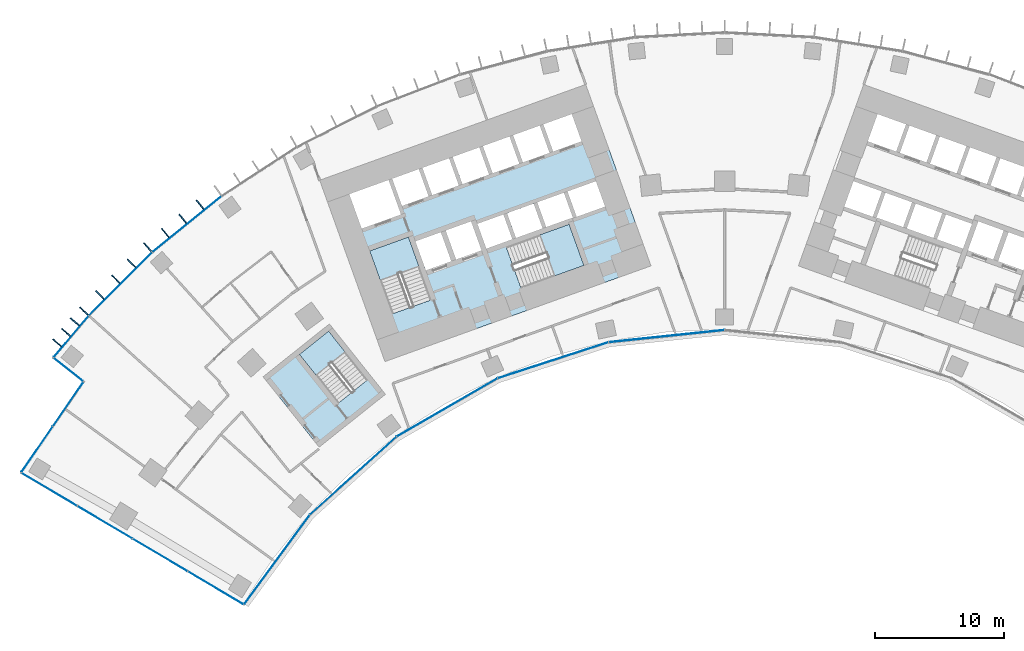
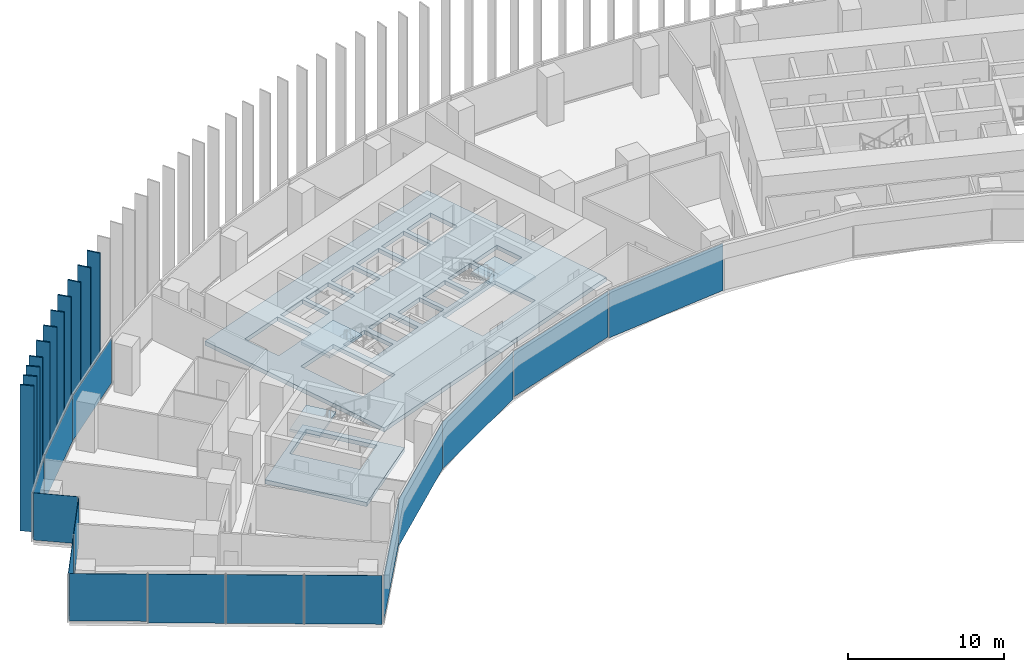
# One storey, part 14 of 24: 26 plates, 5 slabs, 8 elements without a shape of their own.
"""IFC4 building model written with IfcOpenShell, lengths in metres."""

from ifc_helpers import new_model, si_unit, direction, frame, origin, origin_2d, place, context, subcontext, project, spatial, polyline, rectangle, outline, extrude, material, layer, layer_set, type_object, element, aggregate, save


model = new_model("IFC4")

# Units and contexts
model_context = context("Model", 3, precision=1e-05, world=origin(), true_north=direction((0.0, 1.0)))
body_context = subcontext(model_context, "Body", "Model", "MODEL_VIEW")
ifc_project = project(units=[si_unit("LENGTHUNIT", "METRE"), si_unit("AREAUNIT", "SQUARE_METRE"), si_unit("VOLUMEUNIT", "CUBIC_METRE"), si_unit("PLANEANGLEUNIT", "RADIAN"), si_unit("MASSUNIT", "GRAM", prefix="KILO")], contexts=[model_context])

# Site, building, storey
site_placement = place(None, origin())
site = spatial("IfcSite", under=ifc_project, at=site_placement, CompositionType="ELEMENT")
building_placement = place(site_placement, origin())
building = spatial("IfcBuilding", under=site, at=building_placement, Name="Stone Belt Terrace Tower", CompositionType="ELEMENT")
storey_placement = place(building_placement, frame((0.0, 0.0, 41.39990234375)))
storey = spatial("IfcBuildingStorey", under=building, at=storey_placement, Name="L09", CompositionType="ELEMENT", Elevation=41.39990234375)

# Curtain wall, plates
ifc_material_1 = material(Name="Aluminium 6063-T6 anodised frame", Category="aluminium")
ifc_layer_1 = layer(ifc_material_1, 0.14990234375)
ifc_layer_set_1 = layer_set([ifc_layer_1], Name="CW-A unitised convex-face curtain wall")
curtain_wall_type_1 = type_object("IfcCurtainWallType", Name="CW-A unitised convex-face curtain wall", PredefinedType="NOTDEFINED", material=ifc_layer_set_1)
curtain_wall_1_placement = place(storey_placement, origin())
curtain_wall_1 = element("IfcCurtainWall", 1, at=curtain_wall_1_placement, inside=storey, type_object=curtain_wall_type_1, Name="CW-A convex face L09", PredefinedType="NOTDEFINED")
ifc_material_2 = material(Name="Clear double glazed unit")
ifc_layer_2 = layer(ifc_material_2, 0.031982421875)
ifc_layer_set_2 = layer_set([ifc_layer_2], Name="CW-A glass panel 32")
plate_type_1 = type_object("IfcPlateType", Name="CW-A glass panel 32", PredefinedType="CURTAIN_PANEL", material=ifc_layer_set_2)
plate_1_placement = place(storey_placement, frame((-41.839599609375, 51.667724609375, 0.14013671875), z_axis=(0.0, 0.0, 1.0), x_axis=(-0.777145961457, -0.62932039105, 0.0)))
plate_1 = element("IfcPlate", 2, at=plate_1_placement, type_object=plate_type_1, Name="CW-A panel 16.1", PredefinedType="CURTAIN_PANEL", context=body_context, shape_type="SweptSolid", body=[
    extrude(rectangle(XDim=6.90087890625, YDim=0.031982421875, at=origin_2d()), origin(), (0.0, 0.0, 1.0), 3.52001953125),
])
plate_2_placement = place(storey_placement, frame((-47.01123046875, 47.01123046875, 0.14013671875), z_axis=(0.0, 0.0, 1.0), x_axis=(-0.707106781187, -0.707106781187, 0.0)))
plate_2 = element("IfcPlate", 3, at=plate_2_placement, type_object=plate_type_1, Name="CW-A panel 17.1", PredefinedType="CURTAIN_PANEL", context=body_context, shape_type="SweptSolid", body=[
    extrude(rectangle(XDim=6.90087890625, YDim=0.031982421875, at=origin_2d()), origin(), (0.0, 0.0, 1.0), 3.52001953125),
])
plate_3_placement = place(storey_placement, frame((-50.84423828125, 42.92626953125, 0.14013671875), z_axis=(0.0, 0.0, 1.0), x_axis=(-0.645291395384, -0.763936525533, 0.0)))
plate_3 = element("IfcPlate", 4, at=plate_3_placement, type_object=plate_type_1, Name="CW-A panel 18.1", PredefinedType="CURTAIN_PANEL", context=body_context, shape_type="SweptSolid", body=[
    extrude(rectangle(XDim=4.17919921875, YDim=0.031982421875, at=origin_2d()), origin(), (0.0, 0.0, 1.0), 3.52001953125),
])
aggregate(curtain_wall_1, [plate_1, plate_2, plate_3])

ifc_layer_3 = layer(ifc_material_1, 0.14990234375)
ifc_layer_set_3 = layer_set([ifc_layer_3], Name="CW-B unitised concave-face curtain wall")
curtain_wall_type_2 = type_object("IfcCurtainWallType", Name="CW-B unitised concave-face curtain wall", PredefinedType="NOTDEFINED", material=ifc_layer_set_3)
curtain_wall_2_placement = place(storey_placement, origin())
curtain_wall_2 = element("IfcCurtainWall", 5, at=curtain_wall_2_placement, inside=storey, type_object=curtain_wall_type_2, Name="CW-B concave face L09", PredefinedType="NOTDEFINED")
ifc_layer_4 = layer(ifc_material_2, 0.030029296875)
ifc_layer_set_4 = layer_set([ifc_layer_4], Name="CW-B glass panel 30")
plate_type_2 = type_object("IfcPlateType", Name="CW-B glass panel 30", PredefinedType="CURTAIN_PANEL", material=ifc_layer_set_4)
plate_4_placement = place(storey_placement, frame((-34.831787109375, 25.57177734375, 0.1201171875), z_axis=(0.0, 0.0, 1.0), x_axis=(0.592159017675, 0.805821132626, 0.0)))
plate_4 = element("IfcPlate", 6, at=plate_4_placement, type_object=plate_type_2, Name="CW-B panel 1.1", PredefinedType="CURTAIN_PANEL", context=body_context, shape_type="SweptSolid", body=[
    extrude(rectangle(XDim=8.583984375, YDim=0.030029296875, at=origin_2d()), origin(), (0.0, 0.0, 1.0), 3.56005859375),
])
plate_5_placement = place(storey_placement, frame((-28.897705078125, 32.09375, 0.0), z_axis=(0.0, 0.0, 1.0), x_axis=(0.743144825477, 0.669130606359, 0.0)))
plate_5 = element("IfcPlate", 7, at=plate_5_placement, type_object=plate_type_2, Name="CW-B panel 2.1", PredefinedType="CURTAIN_PANEL", context=body_context, shape_type="SweptSolid", body=[
    extrude(rectangle(XDim=9.01318359375, YDim=0.030029296875, at=origin_2d()), origin(), (0.0, 0.0, 1.0), 3.679931640625),
])
plate_6_placement = place(storey_placement, frame((-21.59326171875, 37.40087890625, 0.0), z_axis=(0.0, 0.0, 1.0), x_axis=(0.866025403784, 0.5, 0.0)))
plate_6 = element("IfcPlate", 8, at=plate_6_placement, type_object=plate_type_2, Name="CW-B panel 3.1", PredefinedType="CURTAIN_PANEL", context=body_context, shape_type="SweptSolid", body=[
    extrude(rectangle(XDim=9.0126953125, YDim=0.030029296875, at=origin_2d()), origin(), (0.0, 0.0, 1.0), 3.679931640625),
])
plate_7_placement = place(storey_placement, frame((-13.345458984375, 41.072998046875, 0.1201171875), z_axis=(0.0, 0.0, 1.0), x_axis=(0.951056516295, 0.309016994375, 0.0)))
plate_7 = element("IfcPlate", 9, at=plate_7_placement, type_object=plate_type_2, Name="CW-B panel 4.1", PredefinedType="CURTAIN_PANEL", context=body_context, shape_type="SweptSolid", body=[
    extrude(rectangle(XDim=9.0126953125, YDim=0.030029296875, at=origin_2d()), origin(), (0.0, 0.0, 1.0), 3.56005859375),
])
plate_8_placement = place(storey_placement, frame((-4.51416015625, 42.9501953125, 0.0), z_axis=(0.0, 0.0, 1.0), x_axis=(0.994521895368, 0.104528463268, 0.0)))
plate_8 = element("IfcPlate", 10, at=plate_8_placement, type_object=plate_type_2, Name="CW-B panel 5.1", PredefinedType="CURTAIN_PANEL", context=body_context, shape_type="SweptSolid", body=[
    extrude(rectangle(XDim=9.0126953125, YDim=0.030029296875, at=origin_2d()), origin(), (0.0, 0.0, 1.0), 3.679931640625),
])
aggregate(curtain_wall_2, [plate_4, plate_5, plate_6, plate_7, plate_8])

# Curtain wall, plate
ifc_layer_5 = layer(ifc_material_1, 0.14990234375)
ifc_layer_set_5 = layer_set([ifc_layer_5], Name="CW-C stick curtain wall, horn ends and notches")
curtain_wall_type_3 = type_object("IfcCurtainWallType", Name="CW-C stick curtain wall, horn ends and notches", PredefinedType="NOTDEFINED", material=ifc_layer_set_5)
curtain_wall_3_placement = place(storey_placement, origin())
curtain_wall_3 = element("IfcCurtainWall", 11, at=curtain_wall_3_placement, inside=storey, type_object=curtain_wall_type_3, Name="CW-C notch face L09", PredefinedType="NOTDEFINED")
ifc_layer_6 = layer(ifc_material_2, 0.028076171875)
ifc_layer_set_6 = layer_set([ifc_layer_6], Name="CW-C glass panel 28")
plate_type_3 = type_object("IfcPlateType", Name="CW-C glass panel 28", PredefinedType="CURTAIN_PANEL", material=ifc_layer_set_6)
plate_9_placement = place(storey_placement, frame((-51.061279296875, 40.3388671875, 0.1201171875), z_axis=(0.0, 0.0, 1.0), x_axis=(0.783963828584, -0.620806504051, 0.0)))
plate_9 = element("IfcPlate", 12, at=plate_9_placement, type_object=plate_type_3, Name="CW-C panel 1.1", PredefinedType="CURTAIN_PANEL", context=body_context, shape_type="SweptSolid", body=[
    extrude(rectangle(XDim=2.859375, YDim=0.028076171875, at=origin_2d()), origin(), (0.0, 0.0, 1.0), 3.679931640625),
])
aggregate(curtain_wall_3, [plate_9])

# Curtain wall, plates
curtain_wall_4_placement = place(storey_placement, origin())
curtain_wall_4 = element("IfcCurtainWall", 13, at=curtain_wall_4_placement, inside=storey, type_object=curtain_wall_type_3, Name="CW-C notch face L09", PredefinedType="NOTDEFINED")
plate_10_placement = place(storey_placement, frame((-51.091552734375, 37.647705078125, 0.1201171875), z_axis=(0.0, 0.0, 1.0), x_axis=(-0.566375967567, -0.824146991357, 0.0)))
plate_10 = element("IfcPlate", 14, at=plate_10_placement, type_object=plate_type_3, Name="CW-C panel 1.1", PredefinedType="CURTAIN_PANEL", context=body_context, shape_type="SweptSolid", body=[
    extrude(rectangle(XDim=4.12060546875, YDim=0.028076171875, at=origin_2d()), origin(), (0.0, 0.0, 1.0), 3.679931640625),
])
plate_11_placement = place(storey_placement, frame((-53.501220703125, 34.141357421875, 0.0), z_axis=(0.0, 0.0, 1.0), x_axis=(-0.566375967567, -0.824146991357, 0.0)))
plate_11 = element("IfcPlate", 15, at=plate_11_placement, type_object=plate_type_3, Name="CW-C panel 2.1", PredefinedType="CURTAIN_PANEL", context=body_context, shape_type="SweptSolid", body=[
    extrude(rectangle(XDim=4.268798828125, YDim=0.028076171875, at=origin_2d()), origin(), (0.0, 0.0, 1.0), 3.800048828125),
])
aggregate(curtain_wall_4, [plate_10, plate_11])

curtain_wall_5_placement = place(storey_placement, origin())
curtain_wall_5 = element("IfcCurtainWall", 16, at=curtain_wall_5_placement, inside=storey, type_object=curtain_wall_type_3, Name="CW-C end face L09", PredefinedType="NOTDEFINED")
plate_12_placement = place(storey_placement, frame((-52.54736328125, 31.014892578125, 0.1201171875), z_axis=(0.0, 0.0, 1.0), x_axis=(0.860557728521, -0.509352918793, 0.0)))
plate_12 = element("IfcPlate", 17, at=plate_12_placement, type_object=plate_type_3, Name="CW-C panel 1.1", PredefinedType="CURTAIN_PANEL", context=body_context, shape_type="SweptSolid", body=[
    extrude(rectangle(XDim=4.974853515625, YDim=0.028076171875, at=origin_2d()), origin(), (0.0, 0.0, 1.0), 3.679931640625),
])
plate_13_placement = place(storey_placement, frame((-48.2294921875, 28.459228515625, 0.0), z_axis=(0.0, 0.0, 1.0), x_axis=(0.860557728521, -0.509352918793, 0.0)))
plate_13 = element("IfcPlate", 18, at=plate_13_placement, type_object=plate_type_3, Name="CW-C panel 2.1", PredefinedType="CURTAIN_PANEL", context=body_context, shape_type="SweptSolid", body=[
    extrude(rectangle(XDim=4.93994140625, YDim=0.028076171875, at=origin_2d()), origin(), (0.0, 0.0, 1.0), 3.800048828125),
])
plate_14_placement = place(storey_placement, frame((-43.9267578125, 25.912353515625, 0.0), z_axis=(0.0, 0.0, 1.0), x_axis=(0.860557728521, -0.509352918793, 0.0)))
plate_14 = element("IfcPlate", 19, at=plate_14_placement, type_object=plate_type_3, Name="CW-C panel 3.1", PredefinedType="CURTAIN_PANEL", context=body_context, shape_type="SweptSolid", body=[
    extrude(rectangle(XDim=4.93994140625, YDim=0.028076171875, at=origin_2d()), origin(), (0.0, 0.0, 1.0), 3.800048828125),
])
plate_15_placement = place(storey_placement, frame((-39.613037109375, 23.359130859375, 0.0), z_axis=(0.0, 0.0, 1.0), x_axis=(0.860557728521, -0.509352918793, 0.0)))
plate_15 = element("IfcPlate", 20, at=plate_15_placement, type_object=plate_type_3, Name="CW-C panel 4.1", PredefinedType="CURTAIN_PANEL", context=body_context, shape_type="SweptSolid", body=[
    extrude(rectangle(XDim=4.96533203125, YDim=0.028076171875, at=origin_2d()), origin(), (0.0, 0.0, 1.0), 3.800048828125),
])
aggregate(curtain_wall_5, [plate_12, plate_13, plate_14, plate_15])

# Slabs
ifc_material_3 = material(Name="Concrete B40", Category="concrete")
ifc_layer_7 = layer(ifc_material_3, 0.320068359375)
ifc_layer_set_7 = layer_set([ifc_layer_7], Name="Core floor slab 320")
slab_type_1 = type_object("IfcSlabType", Name="Core floor slab 320", PredefinedType="FLOOR", material=ifc_layer_set_7)
slab_1_placement = place(storey_placement, frame((0.0, 0.0, -0.31982421875)))
element("IfcSlab", 21, at=slab_1_placement, inside=storey, type_object=slab_type_1, Name="Core A floor L09", PredefinedType="FLOOR", context=body_context, shape_type="SweptSolid", body=[
    extrude(outline(polyline([(-26.43505859375, 40.968994140625), (-5.735107421875, 48.4189453125), (-10.81396484375, 62.531982421875), (-31.513916015625, 55.0830078125), (-26.43505859375, 40.968994140625)]), holes=[polyline([(-24.60791015625, 50.659912109375), (-22.847900390625, 45.76806640625), (-25.85888671875, 44.68408203125), (-27.618896484375, 49.575927734375), (-24.60791015625, 50.659912109375)]), polyline([(-21.27392578125, 48.778076171875), (-23.25, 48.06689453125), (-24.06298828125, 50.324951171875), (-22.0869140625, 51.035888671875), (-21.27392578125, 48.778076171875)]), polyline([(-18.922119140625, 49.6240234375), (-20.89794921875, 48.9130859375), (-21.7109375, 51.1708984375), (-19.735107421875, 51.883056640625), (-18.922119140625, 49.6240234375)]), polyline([(-19.239990234375, 51.68896484375), (-17.217041015625, 52.4169921875), (-16.52294921875, 50.488037109375), (-18.5458984375, 49.760009765625), (-19.239990234375, 51.68896484375)]), polyline([(-29.2109375, 53.9990234375), (-26.153076171875, 55.09912109375), (-25.18798828125, 52.41796875), (-28.24609375, 51.31689453125), (-29.2109375, 53.9990234375)]), polyline([(-23.801025390625, 55.946044921875), (-23.0390625, 53.8291015625), (-25.10888671875, 53.083984375), (-25.87109375, 55.200927734375), (-23.801025390625, 55.946044921875)]), polyline([(-21.447998046875, 56.7919921875), (-20.68603515625, 54.675048828125), (-22.756103515625, 53.929931640625), (-23.51806640625, 56.047119140625), (-21.447998046875, 56.7919921875)]), polyline([(-19.095947265625, 57.638916015625), (-18.333984375, 55.52197265625), (-20.404052734375, 54.777099609375), (-21.166015625, 56.89404296875), (-19.095947265625, 57.638916015625)]), polyline([(-15.846923828125, 46.69189453125), (-16.998046875, 49.89208984375), (-12.10595703125, 51.652099609375), (-10.955078125, 48.452880859375), (-15.846923828125, 46.69189453125)]), polyline([(-16.239990234375, 50.589111328125), (-16.93408203125, 52.51806640625), (-14.864013671875, 53.262939453125), (-14.169921875, 51.333984375), (-16.239990234375, 50.589111328125)]), polyline([(-11.801025390625, 52.134033203125), (-11.847900390625, 52.116943359375), (-11.864990234375, 52.1640625), (-13.887939453125, 51.43603515625), (-14.58203125, 53.364990234375), (-12.511962890625, 54.110107421875), (-11.801025390625, 52.134033203125)]), polyline([(-9.30810546875, 53.031005859375), (-11.51904296875, 52.235107421875), (-12.22998046875, 54.2109375), (-10.01904296875, 55.007080078125), (-9.30810546875, 53.031005859375)]), polyline([(-16.743896484375, 58.485107421875), (-15.98193359375, 56.367919921875), (-18.052001953125, 55.623046875), (-18.81396484375, 57.739990234375), (-16.743896484375, 58.485107421875)]), polyline([(-14.39111328125, 59.33203125), (-13.6298828125, 57.215087890625), (-15.699951171875, 56.469970703125), (-16.4609375, 58.5869140625), (-14.39111328125, 59.33203125)]), polyline([(-11.89794921875, 60.22900390625), (-11.135986328125, 58.112060546875), (-13.346923828125, 57.31591796875), (-14.10888671875, 59.43408203125), (-11.89794921875, 60.22900390625)])]), origin(), (0.0, 0.0, 1.0), 0.31982421875),
])
slab_2_placement = place(storey_placement, frame((0.0, 0.0, -0.31982421875)))
element("IfcSlab", 22, at=slab_2_placement, inside=storey, type_object=slab_type_1, Name="Exit stair ST3A floor L09", PredefinedType="FLOOR", context=body_context, shape_type="SweptSolid", body=[
    extrude(outline(polyline([(-26.39404296875, 38.425048828125), (-30.756103515625, 43.89990234375), (-35.91796875, 39.787109375), (-31.555908203125, 34.31298828125), (-26.39404296875, 38.425048828125)]), holes=[polyline([(-27.798095703125, 39.544921875), (-30.06591796875, 37.738037109375), (-33.087890625, 41.531005859375), (-30.820068359375, 43.337890625), (-27.798095703125, 39.544921875)])]), origin(), (0.0, 0.0, 1.0), 0.31982421875),
])

# Stair, slab
stair_type = type_object("IfcStairType", Name="Exit stair 1500", PredefinedType="HALF_TURN_STAIR", material=ifc_material_3)
stair_1_placement = place(storey_placement, origin())
stair_1 = element("IfcStair", 23, at=stair_1_placement, inside=storey, type_object=stair_type, Name="L09 Exit stair 1 core A", PredefinedType="HALF_TURN_STAIR")
ifc_layer_8 = layer(ifc_material_3, 0.199951171875)
ifc_layer_set_8 = layer_set([ifc_layer_8], Name="Stair landing 200")
slab_type_2 = type_object("IfcSlabType", Name="Stair landing 200", PredefinedType="LANDING", material=ifc_layer_set_8)
slab_3_placement = place(storey_placement, frame((0.0, 0.0, 1.7001953125)))
slab_3 = element("IfcSlab", 24, at=slab_3_placement, type_object=slab_type_2, Name="ST1A landing 1", PredefinedType="LANDING", context=body_context, shape_type="SweptSolid", body=[
    extrude(outline(polyline([(-23.79541015625, 48.40087890625), (-24.6083984375, 50.659912109375), (-27.619384765625, 49.576171875), (-26.806396484375, 47.3173828125), (-23.79541015625, 48.40087890625)])), origin(), (0.0, 0.0, 1.0), 0.199951171875),
])
aggregate(stair_1, [slab_3])

stair_2_placement = place(storey_placement, origin())
stair_2 = element("IfcStair", 25, at=stair_2_placement, inside=storey, type_object=stair_type, Name="L09 Exit stair 2 core A", PredefinedType="HALF_TURN_STAIR")
slab_4_placement = place(storey_placement, frame((0.0, 0.0, 1.7001953125)))
slab_4 = element("IfcSlab", 26, at=slab_4_placement, type_object=slab_type_2, Name="ST2A landing 1", PredefinedType="LANDING", context=body_context, shape_type="SweptSolid", body=[
    extrude(outline(polyline([(-13.213623046875, 47.64013671875), (-10.95458984375, 48.453125), (-12.10595703125, 51.652099609375), (-14.36474609375, 50.839111328125), (-13.213623046875, 47.64013671875)])), origin(), (0.0, 0.0, 1.0), 0.199951171875),
])
aggregate(stair_2, [slab_4])

stair_3_placement = place(storey_placement, origin())
stair_3 = element("IfcStair", 27, at=stair_3_placement, inside=storey, type_object=stair_type, Name="L09 Exit stair 3A", PredefinedType="HALF_TURN_STAIR")
slab_5_placement = place(storey_placement, frame((0.0, 0.0, 1.7001953125)))
slab_5 = element("IfcSlab", 28, at=slab_5_placement, type_object=slab_type_2, Name="ST3A landing 1", PredefinedType="LANDING", context=body_context, shape_type="SweptSolid", body=[
    extrude(outline(polyline([(-29.541748046875, 41.73388671875), (-30.819580078125, 43.337890625), (-33.087646484375, 41.53076171875), (-31.809814453125, 39.9267578125), (-29.541748046875, 41.73388671875)])), origin(), (0.0, 0.0, 1.0), 0.199951171875),
])
aggregate(stair_3, [slab_5])

# Plates
ifc_material_4 = material(Name="Terracotta coloured glazed ceramic", Category="masonry")
ifc_layer_9 = layer(ifc_material_4, 0.10009765625)
ifc_layer_set_9 = layer_set([ifc_layer_9], Name="Terracotta fin 100 x 900")
plate_type_4 = type_object("IfcPlateType", Name="Terracotta fin 100 x 900", PredefinedType="SHEET", material=ifc_layer_set_9)
for number, where, z_axis, x_axis, name in (
    (29, (-40.816162109375, 53.172119140625, 0.000244140625), (0.0, 0.0, 1.0), (-0.62932039105, 0.777145961457, 0.0), "FIN L09 16.2"),
    (30, (-42.170166015625, 52.07568359375, 0.000244140625), (0.0, 0.0, 1.0), (-0.62932039105, 0.777145961457, 0.0), "FIN L09 16.3"),
    (31, (-43.52392578125, 50.979248046875, 0.000244140625), (0.0, 0.0, 1.0), (-0.62932039105, 0.777145961457, 0.0), "FIN L09 16.4"),
    (32, (-44.898681640625, 49.864990234375, 0.000244140625), (0.0, 0.0, 1.0), (-0.669130606359, 0.743144825477, 0.0), "FIN L09 17.1"),
    (33, (-46.150390625, 48.614501953125, 0.000244140625), (0.0, 0.0, 1.0), (-0.707106781187, 0.707106781187, 0.0), "FIN L09 17.2"),
    (34, (-47.382080078125, 47.3828125, 0.000244140625), (0.0, 0.0, 1.0), (-0.707106781187, 0.707106781187, 0.0), "FIN L09 17.3"),
    (35, (-48.61376953125, 46.15087890625, 0.000244140625), (0.0, 0.0, 1.0), (-0.707106781187, 0.707106781187, 0.0), "FIN L09 17.4"),
    (36, (-49.86083984375, 44.9033203125, 0.000244140625), (0.0, 0.0, 1.0), (-0.73617076011, 0.676795842155, 0.0), "FIN L09 18.1"),
    (37, (-50.567138671875, 44.068115234375, 0.000244140625), (0.0, 0.0, 1.0), (-0.763936525533, 0.645291395384, 0.0), "FIN L09 18.2"),
    (38, (-51.2587890625, 43.249267578125, 0.000244140625), (0.0, 0.0, 1.0), (-0.763936525533, 0.645291395384, 0.0), "FIN L09 18.3"),
    (39, (-51.9501953125, 42.430419921875, 0.000244140625), (0.0, 0.0, 1.0), (-0.763936525533, 0.645291395384, 0.0), "FIN L09 18.4"),
):
    element("IfcPlate", number, at=place(storey_placement, frame(where, z_axis=z_axis, x_axis=x_axis)), inside=storey, type_object=plate_type_4, Name=name, PredefinedType="SHEET", context=body_context, shape_type="SweptSolid", body=[
        extrude(rectangle(XDim=0.89990234375, YDim=0.10009765625, at=origin_2d()), origin(), (0.0, 0.0, 1.0), 11.39990234375),
    ])

save(model, "model.ifc")
